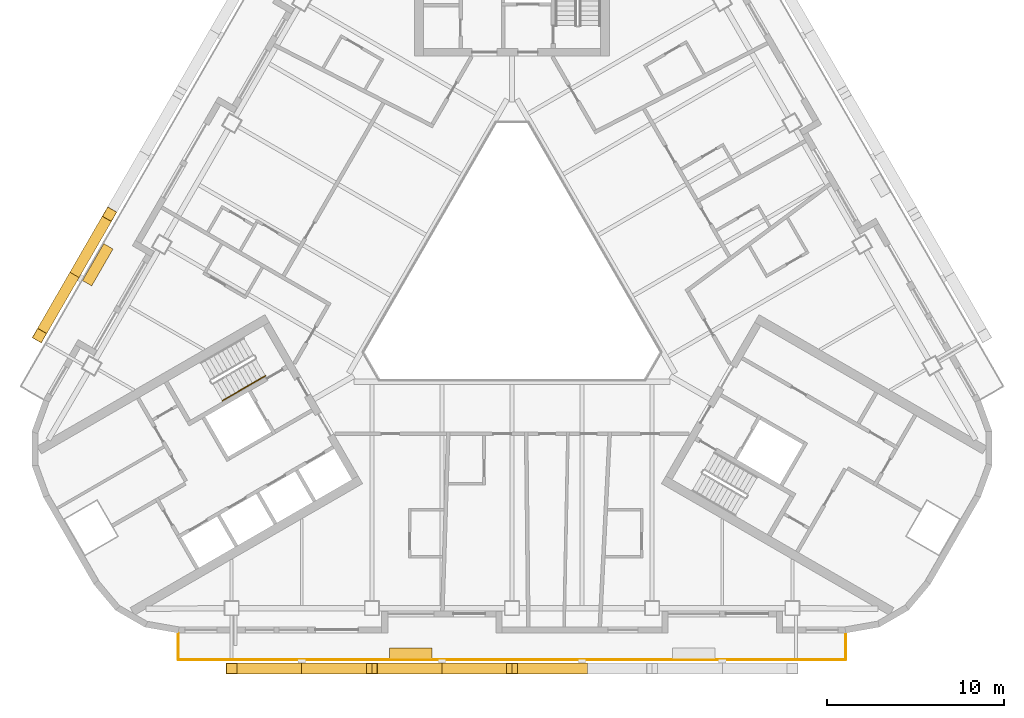
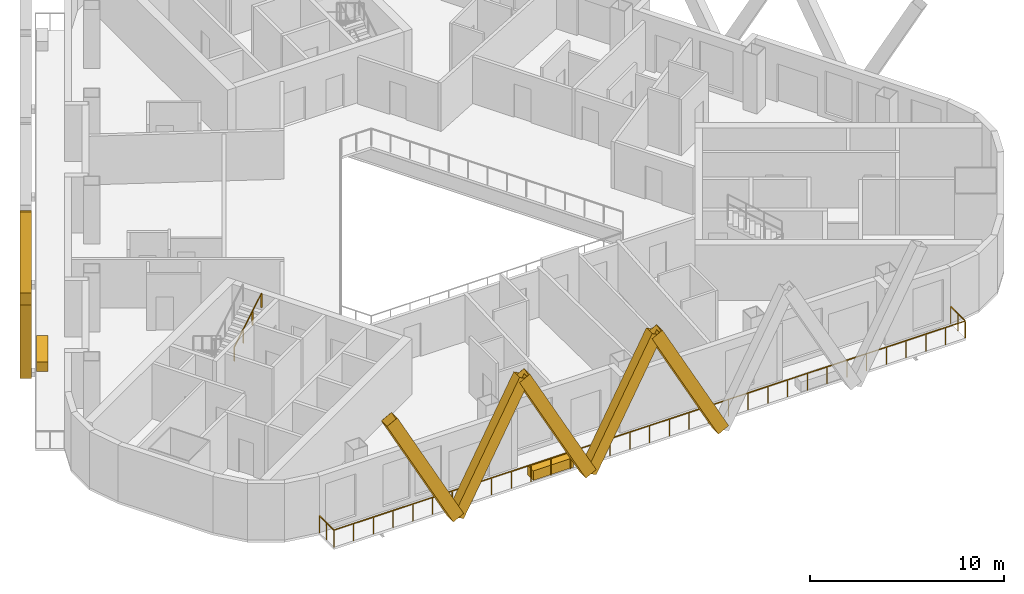
# One storey, part 9 of 14: 7 shading devices, 2 coverings, 2 railings.
"""IFC4 building model written with IfcOpenShell, lengths in metres."""

from ifc_helpers import new_model, si_unit, direction, frame, origin, origin_2d, place, context, subcontext, project, spatial, rectangle, hollow_rectangle, circle, extrude, material, material_profile, profile_set, type_object, element, save


model = new_model("IFC4")

# Units and contexts
model_context = context("Model", 3, precision=1e-05, world=origin(), true_north=direction((0.0, 1.0)))
body_context = subcontext(model_context, "Body", "Model", "MODEL_VIEW")
ifc_project = project(units=[si_unit("LENGTHUNIT", "METRE"), si_unit("AREAUNIT", "SQUARE_METRE"), si_unit("VOLUMEUNIT", "CUBIC_METRE"), si_unit("PLANEANGLEUNIT", "RADIAN"), si_unit("MASSUNIT", "GRAM", prefix="KILO")], contexts=[model_context])

# Site, building, storey
site_placement = place(None, origin())
site = spatial("IfcSite", under=ifc_project, at=site_placement, CompositionType="ELEMENT")
building_placement = place(site_placement, origin())
building = spatial("IfcBuilding", under=site, at=building_placement, Name="Apuvela Tower Hotel", CompositionType="ELEMENT")
storey_placement = place(building_placement, frame((0.0, 0.0, 168.800048828125)))
storey = spatial("IfcBuildingStorey", under=building, at=storey_placement, Name="L40", CompositionType="ELEMENT", Elevation=168.800048828125)

# Railing
ifc_material_1 = material(Name="Stainless steel 316 handrail", Category="steel")
railing_type_1 = type_object("IfcRailingType", Name="COR-HANDRAIL-900", PredefinedType="HANDRAIL", material=ifc_material_1)
railing_1_placement = place(storey_placement, frame((-16.31884765625, -6.534912109375, 2.01806640625)))
element("IfcRailing", 1, at=railing_1_placement, inside=storey, type_object=railing_type_1, Name="L40 ST2 stair handrail 2", PredefinedType="HANDRAIL", context=body_context, shape_type="SweptSolid", body=[
    extrude(circle(Radius=0.02392578125, at=origin_2d()), frame((0.0, 0.0, 0.8759765625), z_axis=(0.742390482028, 0.42860119049, 0.514934356695), x_axis=(-0.49998411664, 0.866034573852, 0.0)), (0.0, 0.0, 1.0), 3.26611328125),
    extrude(rectangle(XDim=0.0419921875, YDim=0.0419921875, at=origin_2d()), origin(), (0.0, 0.0, 1.0), 0.851806640625),
    extrude(rectangle(XDim=0.0419921875, YDim=0.0419921875, at=origin_2d()), frame((0.808349609375, 0.466552734375, 0.560546875)), (0.0, 0.0, 1.0), 0.851806640625),
    extrude(rectangle(XDim=0.0419921875, YDim=0.0419921875, at=origin_2d()), frame((1.616455078125, 0.933349609375, 1.121337890625)), (0.0, 0.0, 1.0), 0.851806640625),
    extrude(rectangle(XDim=0.0419921875, YDim=0.0419921875, at=origin_2d()), frame((2.4248046875, 1.39990234375, 1.681884765625)), (0.0, 0.0, 1.0), 0.851806640625),
])

# Shading devices
ifc_material_2 = material(Name="Aluminium 6063-T6, black anodised", Category="aluminium")
ifc_material_profile = material_profile(ifc_material_2, hollow_rectangle(XDim=0.60009765625, YDim=0.699951171875, WallThickness=0.011962890625, at=origin_2d()), Name="AL BOX 700x600x12")
ifc_profile_set = profile_set([ifc_material_profile], Name="Aluminium 6063-T6, black anodised")
shading_device_type = type_object("IfcShadingDeviceType", Name="ENV-FIN-700x600", PredefinedType="USERDEFINED", material=ifc_profile_set)
for number, where, z_axis, x_axis, name in (
    (2, (-11.85009765625, -21.6298828125, -0.10009765625), (-0.470885802113, 0.0, 0.882194174413), (0.0, -1.0, 0.0), "Lattice fin S313"),
    (3, (-11.85009765625, -21.6298828125, -0.10009765625), (0.470908452903, 0.0, 0.882182083804), (0.0, 1.0, 0.0), "Lattice fin S314"),
    (4, (-3.949951171875, -21.6298828125, -0.10009765625), (-0.470885802113, 0.0, 0.882194174413), (0.0, -1.0, 0.0), "Lattice fin S315"),
    (5, (-3.949951171875, -21.6298828125, -0.10009765625), (0.470885802113, 0.0, 0.882194174413), (0.0, 1.0, 0.0), "Lattice fin S316"),
    (6, (3.949951171875, -21.6298828125, -0.10009765625), (-0.470885802113, 0.0, 0.882194174413), (0.0, -1.0, 0.0), "Lattice fin S317"),
    (7, (-24.656982421875, 0.552490234375, -0.10009765625), (0.235427548578, 0.407814415956, 0.882191176281), (-0.866047669374, 0.499961432884, 0.0), "Lattice fin NW415"),
    (8, (-24.656982421875, 0.552490234375, -0.10009765625), (-0.235457834389, -0.407787356937, 0.88219560175), (0.866005453737, -0.500034552904, 0.0), "Lattice fin NW416"),
):
    element("IfcShadingDevice", number, at=place(storey_placement, frame(where, z_axis=z_axis, x_axis=x_axis)), inside=storey, type_object=shading_device_type, Name=name, ObjectType="FIN", PredefinedType="USERDEFINED", context=body_context, shape_type="SweptSolid", body=[
        extrude(hollow_rectangle(XDim=0.60009765625, YDim=0.699951171875, WallThickness=0.011962890625, at=origin_2d()), origin(), (0.0, 0.0, 1.0), 8.388427734375),
    ])

# Railing
ifc_material_3 = material(Name="Stainless steel 316 rail with laminated glass infill", Category="steel")
railing_type_2 = type_object("IfcRailingType", Name="ENV-GUARD-1100", PredefinedType="GUARDRAIL", material=ifc_material_3)
railing_2_placement = place(storey_placement, frame((-18.81591796875, -19.6298828125, 0.0)))
element("IfcRailing", 9, at=railing_2_placement, inside=storey, type_object=railing_type_2, Name="Balcony guard S L40", PredefinedType="GUARDRAIL", context=body_context, shape_type="SweptSolid", body=[
    extrude(rectangle(XDim=0.050048828125, YDim=0.050048828125, at=origin_2d()), frame((0.0, 0.0, 1.0751953125), z_axis=(0.0, -1.0, 0.0), x_axis=(1.0, 0.0, 0.0)), (0.0, 0.0, 1.0), 1.5),
    extrude(rectangle(XDim=0.050048828125, YDim=0.050048828125, at=origin_2d()), frame((0.0, -1.5, 1.0751953125), z_axis=(1.0, 0.0, 0.0), x_axis=(0.0, 1.0, 0.0)), (0.0, 0.0, 1.0), 37.6318359375),
    extrude(rectangle(XDim=0.050048828125, YDim=0.050048828125, at=origin_2d()), frame((37.6318359375, -1.5, 1.0751953125), z_axis=(0.0, 1.0, 0.0), x_axis=(-1.0, 0.0, 0.0)), (0.0, 0.0, 1.0), 1.5),
    extrude(rectangle(XDim=0.0400390625, YDim=0.0400390625, at=origin_2d()), origin(), (0.0, 0.0, 1.0), 1.050048828125),
    extrude(rectangle(XDim=0.0400390625, YDim=0.0400390625, at=origin_2d()), frame((0.0, -0.75, 0.0)), (0.0, 0.0, 1.0), 1.050048828125),
    extrude(rectangle(XDim=0.0400390625, YDim=0.0400390625, at=origin_2d()), frame((0.0, -1.5, 0.0)), (0.0, 0.0, 1.0), 1.050048828125),
    extrude(rectangle(XDim=0.0400390625, YDim=0.0400390625, at=origin_2d()), frame((1.176025390625, -1.5, 0.0)), (0.0, 0.0, 1.0), 1.050048828125),
    extrude(rectangle(XDim=0.0400390625, YDim=0.0400390625, at=origin_2d()), frame((2.35205078125, -1.5, 0.0)), (0.0, 0.0, 1.0), 1.050048828125),
    extrude(rectangle(XDim=0.0400390625, YDim=0.0400390625, at=origin_2d()), frame((3.528076171875, -1.5, 0.0)), (0.0, 0.0, 1.0), 1.050048828125),
    extrude(rectangle(XDim=0.0400390625, YDim=0.0400390625, at=origin_2d()), frame((4.7041015625, -1.5, 0.0)), (0.0, 0.0, 1.0), 1.050048828125),
    extrude(rectangle(XDim=0.0400390625, YDim=0.0400390625, at=origin_2d()), frame((5.8798828125, -1.5, 0.0)), (0.0, 0.0, 1.0), 1.050048828125),
    extrude(rectangle(XDim=0.0400390625, YDim=0.0400390625, at=origin_2d()), frame((7.055908203125, -1.5, 0.0)), (0.0, 0.0, 1.0), 1.050048828125),
    extrude(rectangle(XDim=0.0400390625, YDim=0.0400390625, at=origin_2d()), frame((8.23193359375, -1.5, 0.0)), (0.0, 0.0, 1.0), 1.050048828125),
    extrude(rectangle(XDim=0.0400390625, YDim=0.0400390625, at=origin_2d()), frame((9.407958984375, -1.5, 0.0)), (0.0, 0.0, 1.0), 1.050048828125),
    extrude(rectangle(XDim=0.0400390625, YDim=0.0400390625, at=origin_2d()), frame((10.583984375, -1.5, 0.0)), (0.0, 0.0, 1.0), 1.050048828125),
    extrude(rectangle(XDim=0.0400390625, YDim=0.0400390625, at=origin_2d()), frame((11.760009765625, -1.5, 0.0)), (0.0, 0.0, 1.0), 1.050048828125),
    extrude(rectangle(XDim=0.0400390625, YDim=0.0400390625, at=origin_2d()), frame((12.93603515625, -1.5, 0.0)), (0.0, 0.0, 1.0), 1.050048828125),
    extrude(rectangle(XDim=0.0400390625, YDim=0.0400390625, at=origin_2d()), frame((14.11181640625, -1.5, 0.0)), (0.0, 0.0, 1.0), 1.050048828125),
    extrude(rectangle(XDim=0.0400390625, YDim=0.0400390625, at=origin_2d()), frame((15.287841796875, -1.5, 0.0)), (0.0, 0.0, 1.0), 1.050048828125),
    extrude(rectangle(XDim=0.0400390625, YDim=0.0400390625, at=origin_2d()), frame((16.4638671875, -1.5, 0.0)), (0.0, 0.0, 1.0), 1.050048828125),
    extrude(rectangle(XDim=0.0400390625, YDim=0.0400390625, at=origin_2d()), frame((17.639892578125, -1.5, 0.0)), (0.0, 0.0, 1.0), 1.050048828125),
    extrude(rectangle(XDim=0.0400390625, YDim=0.0400390625, at=origin_2d()), frame((18.81591796875, -1.5, 0.0)), (0.0, 0.0, 1.0), 1.050048828125),
    extrude(rectangle(XDim=0.0400390625, YDim=0.0400390625, at=origin_2d()), frame((19.991943359375, -1.5, 0.0)), (0.0, 0.0, 1.0), 1.050048828125),
    extrude(rectangle(XDim=0.0400390625, YDim=0.0400390625, at=origin_2d()), frame((21.16796875, -1.5, 0.0)), (0.0, 0.0, 1.0), 1.050048828125),
    extrude(rectangle(XDim=0.0400390625, YDim=0.0400390625, at=origin_2d()), frame((22.343994140625, -1.5, 0.0)), (0.0, 0.0, 1.0), 1.050048828125),
    extrude(rectangle(XDim=0.0400390625, YDim=0.0400390625, at=origin_2d()), frame((23.52001953125, -1.5, 0.0)), (0.0, 0.0, 1.0), 1.050048828125),
    extrude(rectangle(XDim=0.0400390625, YDim=0.0400390625, at=origin_2d()), frame((24.69580078125, -1.5, 0.0)), (0.0, 0.0, 1.0), 1.050048828125),
    extrude(rectangle(XDim=0.0400390625, YDim=0.0400390625, at=origin_2d()), frame((25.871826171875, -1.5, 0.0)), (0.0, 0.0, 1.0), 1.050048828125),
    extrude(rectangle(XDim=0.0400390625, YDim=0.0400390625, at=origin_2d()), frame((27.0478515625, -1.5, 0.0)), (0.0, 0.0, 1.0), 1.050048828125),
    extrude(rectangle(XDim=0.0400390625, YDim=0.0400390625, at=origin_2d()), frame((28.223876953125, -1.5, 0.0)), (0.0, 0.0, 1.0), 1.050048828125),
    extrude(rectangle(XDim=0.0400390625, YDim=0.0400390625, at=origin_2d()), frame((29.39990234375, -1.5, 0.0)), (0.0, 0.0, 1.0), 1.050048828125),
    extrude(rectangle(XDim=0.0400390625, YDim=0.0400390625, at=origin_2d()), frame((30.575927734375, -1.5, 0.0)), (0.0, 0.0, 1.0), 1.050048828125),
    extrude(rectangle(XDim=0.0400390625, YDim=0.0400390625, at=origin_2d()), frame((31.751953125, -1.5, 0.0)), (0.0, 0.0, 1.0), 1.050048828125),
    extrude(rectangle(XDim=0.0400390625, YDim=0.0400390625, at=origin_2d()), frame((32.927734375, -1.5, 0.0)), (0.0, 0.0, 1.0), 1.050048828125),
    extrude(rectangle(XDim=0.0400390625, YDim=0.0400390625, at=origin_2d()), frame((34.103759765625, -1.5, 0.0)), (0.0, 0.0, 1.0), 1.050048828125),
    extrude(rectangle(XDim=0.0400390625, YDim=0.0400390625, at=origin_2d()), frame((35.27978515625, -1.5, 0.0)), (0.0, 0.0, 1.0), 1.050048828125),
    extrude(rectangle(XDim=0.0400390625, YDim=0.0400390625, at=origin_2d()), frame((36.455810546875, -1.5, 0.0)), (0.0, 0.0, 1.0), 1.050048828125),
    extrude(rectangle(XDim=0.0400390625, YDim=0.0400390625, at=origin_2d()), frame((37.6318359375, -1.5, 0.0)), (0.0, 0.0, 1.0), 1.050048828125),
    extrude(rectangle(XDim=0.0400390625, YDim=0.0400390625, at=origin_2d()), frame((37.6318359375, -0.75, 0.0)), (0.0, 0.0, 1.0), 1.050048828125),
    extrude(rectangle(XDim=0.0400390625, YDim=0.0400390625, at=origin_2d()), frame((37.6318359375, 0.0, 0.0)), (0.0, 0.0, 1.0), 1.050048828125),
])

# Coverings
ifc_material_4 = material(Name="Planting substrate and soil, planted")
covering_type = type_object("IfcCoveringType", Name="ENV-PLANTER-2400x600", PredefinedType="USERDEFINED", material=ifc_material_4)
for number, where, z_axis, x_axis, name in (
    (10, (-5.69970703125, -20.780029296875, 0.0), (0.0, 0.0, 1.0), (1.0, 0.0, 0.0), "Planter S1"),
    (11, (-23.345947265625, 1.12353515625, 0.0), (0.0, 0.0, 1.0), (-0.5, -0.866025403784, 0.0), "Planter NW5"),
):
    element("IfcCovering", number, at=place(storey_placement, frame(where, z_axis=z_axis, x_axis=x_axis)), inside=storey, type_object=covering_type, Name=name, ObjectType="PLANTER", PredefinedType="USERDEFINED", context=body_context, shape_type="SweptSolid", body=[
        extrude(rectangle(XDim=2.39990234375, YDim=0.60009765625, at=origin_2d()), origin(), (0.0, 0.0, 1.0), 0.60009765625),
    ])

save(model, "model.ifc")
